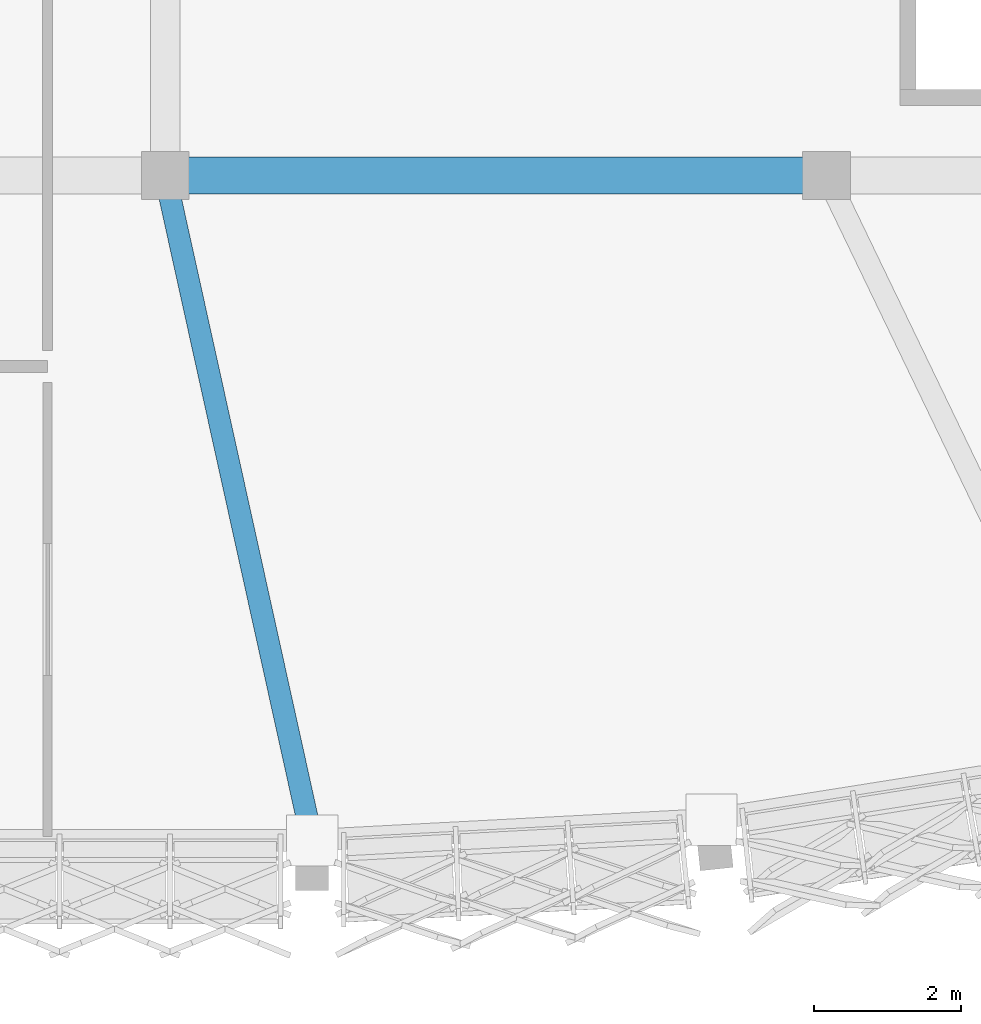
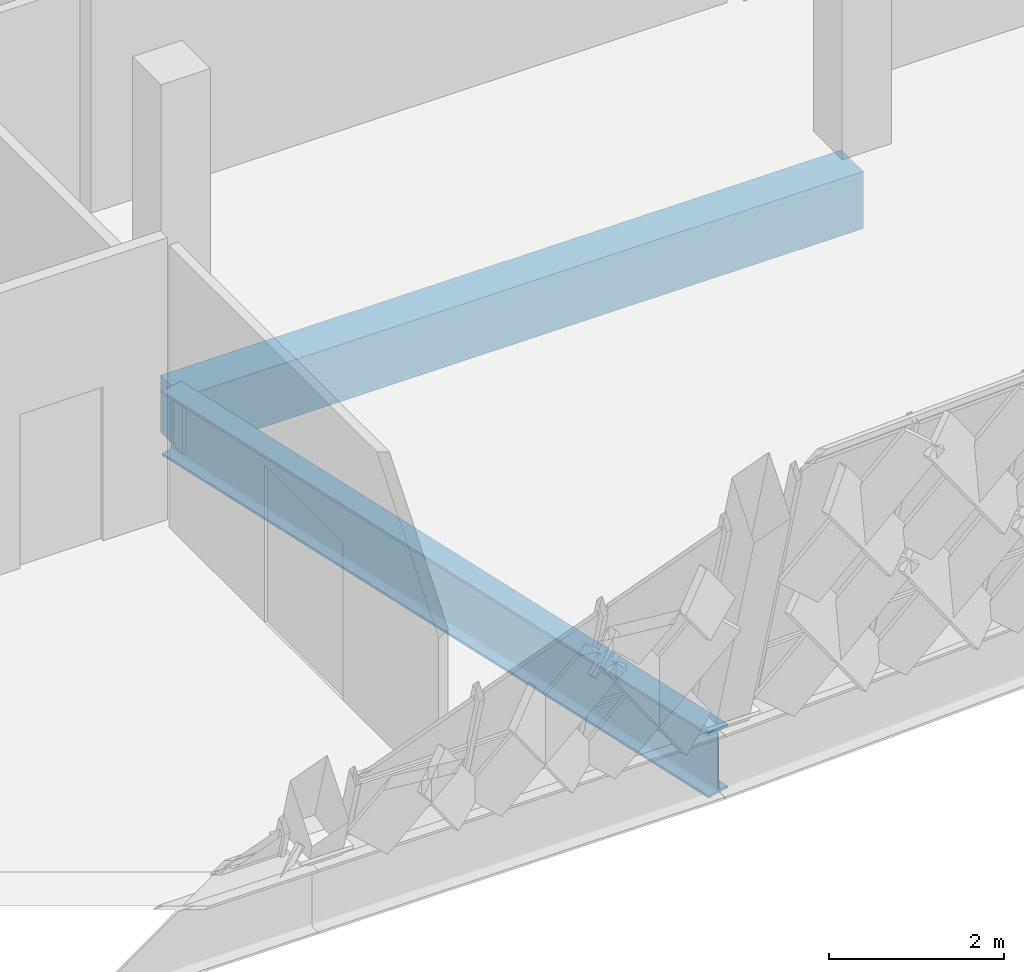
# One storey, part 53 of 182: 2 beams.
"""IFC4 building model written with IfcOpenShell, lengths in metres."""

import ifcopenshell
import ifcopenshell.guid

model = None  # the IFC model being written
_history = None  # IfcOwnerHistory: only IFC2X3 demands one
_inside = {}  # id of a spatial element -> (the spatial element, [elements in it])
_under = {}  # id of a project, library or spatial element -> (it, [spatial elements below it])
_declared = {}  # id of a project -> (the project, [libraries it declares])
_typed = {}  # id of a type object -> (the type object, [elements of that type])
_made_of = {}  # id of a material, layer set ... -> (it, [elements and type objects made of it])


def new_model(schema):
    """Start an empty IFC model of exactly this schema.

    Asked for "IFC4X3", IfcOpenShell would pick the latest addendum, in which some entities
    have other attributes; the version numbers below select the first issue.
    IFC2X3 requires an IfcOwnerHistory on every rooted entity: one is made here for all.
    """
    global model, _history
    if schema == "IFC4X3":
        model = ifcopenshell.file(schema_version=(4, 3, 0, 0))
    else:
        model = ifcopenshell.file(schema=schema)
    _inside.clear()
    _under.clear()
    _declared.clear()
    _typed.clear()
    _made_of.clear()
    _history = None
    if model.schema == "IFC2X3":
        org = make("IfcOrganization", Name="unknown")
        user = make(
            "IfcPersonAndOrganization",
            ThePerson=make("IfcPerson", FamilyName="unknown"),
            TheOrganization=org,
        )
        app = make(
            "IfcApplication",
            ApplicationDeveloper=org,
            Version="unknown",
            ApplicationFullName="unknown",
            ApplicationIdentifier="unknown",
        )
        _history = make(
            "IfcOwnerHistory",
            OwningUser=user,
            OwningApplication=app,
            ChangeAction="ADDED",
            CreationDate=0,
        )
    return model


def make(cls, **values):
    """One entity of the class cls with the attributes given. An attribute that is None is left unset."""
    return model.create_entity(
        cls, **{name: value for name, value in values.items() if value is not None}
    )


def rooted(cls, **values):
    """An entity with a GlobalId (a new one), such as an element, a storey or a relation."""
    return make(cls, GlobalId=ifcopenshell.guid.new(), OwnerHistory=_history, **values)


def si_unit(unit_type, name, prefix=None):
    """IfcSIUnit, for example si_unit("LENGTHUNIT", "METRE", prefix="MILLI")."""
    return make("IfcSIUnit", UnitType=unit_type, Prefix=prefix, Name=name)


def assignment(units):
    """IfcUnitAssignment: the units of a project."""
    return None if units is None else make("IfcUnitAssignment", Units=units)


def point(xyz):
    """IfcCartesianPoint."""
    return None if xyz is None else make("IfcCartesianPoint", Coordinates=xyz)


def direction(xyz):
    """IfcDirection."""
    return None if xyz is None else make("IfcDirection", DirectionRatios=xyz)


def frame(location, z_axis=None, x_axis=None):
    """IfcAxis2Placement3D, a coordinate frame: its origin and axes. An axis left out is left unset."""
    return make(
        "IfcAxis2Placement3D",
        Location=point(location),
        Axis=direction(z_axis),
        RefDirection=direction(x_axis),
    )


def frame_2d(location, x_axis=None):
    """IfcAxis2Placement2D, a coordinate frame in the plane: its origin and x axis."""
    return make(
        "IfcAxis2Placement2D", Location=point(location), RefDirection=direction(x_axis)
    )


def origin():
    """The frame at (0, 0, 0) with its axes left unset."""
    return frame((0.0, 0.0, 0.0))


def origin_2d():
    """The frame at (0, 0) in the plane with its x axis left unset."""
    return frame_2d((0.0, 0.0))


def place(relative_to, where):
    """IfcLocalPlacement: puts the frame where relative to a parent placement (None: the world)."""
    return make(
        "IfcLocalPlacement", PlacementRelTo=relative_to, RelativePlacement=where
    )


def context(
    kind, dimensions, precision=None, world=None, true_north=None, identifier=None
):
    """IfcGeometricRepresentationContext, for example the 3D "Model" context."""
    return make(
        "IfcGeometricRepresentationContext",
        ContextIdentifier=identifier,
        ContextType=kind,
        CoordinateSpaceDimension=dimensions,
        Precision=precision,
        WorldCoordinateSystem=world,
        TrueNorth=true_north,
    )


def subcontext(parent, identifier, kind, view, scale=None):
    """IfcGeometricRepresentationSubContext, for example "Body" below "Model"."""
    return make(
        "IfcGeometricRepresentationSubContext",
        ContextIdentifier=identifier,
        ContextType=kind,
        ParentContext=parent,
        TargetScale=scale,
        TargetView=view,
    )


def project(units=None, contexts=None):
    """IfcProject with its units and contexts."""
    return rooted(
        "IfcProject",
        Name="project",
        RepresentationContexts=contexts,
        UnitsInContext=assignment(units),
    )


def spatial(cls, under=None, at=None, **own):
    """A site, building, storey or space (cls), placed at a placement, below another one or the project."""
    s = rooted(cls, ObjectPlacement=at, **own)
    if under is not None:
        _under.setdefault(under.id(), (under, []))[1].append(s)
    return s


def profile(cls, at=None, kind="AREA", **sizes):
    """A parametric profile (cls). Its sizes go by their IFC names, for example OverallWidth=200.0."""
    return make(cls, ProfileType=kind, Position=at, **sizes)


def rectangle(**sizes):
    """IfcRectangleProfileDef."""
    return profile("IfcRectangleProfileDef", **sizes)


def i_section(**sizes):
    """IfcIShapeProfileDef."""
    return profile("IfcIShapeProfileDef", **sizes)


def extrude(swept, where, along, depth):
    """IfcExtrudedAreaSolid: the profile swept, set in the frame where, extruded along a direction by depth."""
    return make(
        "IfcExtrudedAreaSolid",
        SweptArea=swept,
        Position=where,
        ExtrudedDirection=direction(along),
        Depth=depth,
    )


def shape(context_of_items, identifier, shape_type, items):
    """IfcShapeRepresentation: the items that make up one representation, for example the "Body"."""
    return make(
        "IfcShapeRepresentation",
        ContextOfItems=context_of_items,
        RepresentationIdentifier=identifier,
        RepresentationType=shape_type,
        Items=items,
    )


def material(Name=None, Category=None):
    """IfcMaterial."""
    return make("IfcMaterial", Name=Name, Category=Category)


def material_profile(
    of_material, cross_section, Name=None, Category=None, Priority=None
):
    """IfcMaterialProfile: a cross section and its material."""
    return make(
        "IfcMaterialProfile",
        Name=Name,
        Material=of_material,
        Profile=cross_section,
        Priority=Priority,
        Category=Category,
    )


def profile_set(profiles, Name=None, composite=None):
    """IfcMaterialProfileSet."""
    return make(
        "IfcMaterialProfileSet",
        Name=Name,
        MaterialProfiles=profiles,
        CompositeProfile=composite,
    )


def made_of(thing, what):
    """Note that an element or type object is made of a material, layer set ...; save() writes the relation."""
    if what is not None:
        _made_of.setdefault(what.id(), (what, []))[1].append(thing)
    return thing


def type_object(cls, material=None, **own):
    """A type object (cls), such as IfcWallType, which elements share."""
    return made_of(rooted(cls, **own), material)


def element(
    cls,
    number,
    at=None,
    inside=None,
    cuts=None,
    type_object=None,
    material=None,
    context=None,
    identifier="Body",
    shape_type=None,
    held_by="IfcProductDefinitionShape",
    body=None,
    shapes=None,
    **own,
):
    """One element of the class cls, such as IfcWall. Its Tag is "e" and its number.

    at: its placement. inside: the storey or other place that contains it. cuts: it is an
    opening in that element (IfcRelVoidsElement). A single representation is given by context,
    identifier, shape_type and body (its items); several are given by shapes. held_by: the class
    of the entity that holds the representations. save() writes the other relations.
    """
    e = rooted(cls, Tag="e%d" % number, ObjectPlacement=at, **own)
    if body is not None:
        shapes = [shape(context, identifier, shape_type, body)]
    if shapes is not None:
        e.Representation = make(held_by, Representations=shapes)
    if inside is not None:
        _inside.setdefault(inside.id(), (inside, []))[1].append(e)
    if cuts is not None:
        rooted(
            "IfcRelVoidsElement", RelatingBuildingElement=cuts, RelatedOpeningElement=e
        )
    if type_object is not None:
        _typed.setdefault(type_object.id(), (type_object, []))[1].append(e)
    return made_of(e, material)


def aggregate(whole, parts):
    """IfcRelAggregates: a whole, such as a stair, and the parts it consists of."""
    return rooted("IfcRelAggregates", RelatingObject=whole, RelatedObjects=parts)


def save(model, path):
    """Write the relations noted so far, then the file.

    IfcRelAggregates (storeys below a building ...), IfcRelContainedInSpatialStructure (elements
    in a storey), IfcRelDefinesByType, IfcRelAssociatesMaterial and IfcRelDeclares: one each for
    every whole, place, type object, material and project.
    """
    for whole, parts in _under.values():
        aggregate(whole, parts)
    for where, things in _inside.values():
        rooted(
            "IfcRelContainedInSpatialStructure",
            RelatedElements=things,
            RelatingStructure=where,
        )
    for kind, things in _typed.values():
        rooted("IfcRelDefinesByType", RelatedObjects=things, RelatingType=kind)
    for what, things in _made_of.values():
        rooted("IfcRelAssociatesMaterial", RelatedObjects=things, RelatingMaterial=what)
    for by, libraries in _declared.values():
        rooted("IfcRelDeclares", RelatingContext=by, RelatedDefinitions=libraries)
    model.write(path)


model = new_model("IFC4")

# Units and contexts
model_context = context("Model", 3, precision=1e-05, world=origin(), true_north=direction((0.0, 1.0)))
body_context = subcontext(model_context, "Body", "Model", "MODEL_VIEW")
ifc_project = project(units=[si_unit("LENGTHUNIT", "METRE"), si_unit("AREAUNIT", "SQUARE_METRE"), si_unit("VOLUMEUNIT", "CUBIC_METRE"), si_unit("PLANEANGLEUNIT", "RADIAN"), si_unit("MASSUNIT", "GRAM", prefix="KILO")], contexts=[model_context])

# Site, building, storey
site_placement = place(None, origin())
site = spatial("IfcSite", under=ifc_project, at=site_placement, CompositionType="ELEMENT")
building_placement = place(site_placement, origin())
building = spatial("IfcBuilding", under=site, at=building_placement, Name="Chiffa Square Polytechnic", CompositionType="ELEMENT")
storey_placement = place(building_placement, frame((0.0, 0.0, 9.60009765625)))
storey = spatial("IfcBuildingStorey", under=building, at=storey_placement, Name="L02", CompositionType="ELEMENT", Elevation=9.60009765625)

# Beams
ifc_material_1 = material(Name="Concrete C40/50", Category="concrete")
ifc_material_profile_1 = material_profile(ifc_material_1, rectangle(XDim=0.5, YDim=0.800048828125, at=origin_2d()), Name="RC 500x800")
ifc_profile_set_1 = profile_set([ifc_material_profile_1], Name="Concrete C40/50")
beam_type_1 = type_object("IfcBeamType", Name="BM-RC-500X800", PredefinedType="BEAM", material=ifc_profile_set_1)
beam_1_placement = place(storey_placement, frame((121.199951171875, 14.39990234375, -0.72021484375), z_axis=(1.0, 0.0, 0.0), x_axis=(0.0, 1.0, 0.0)))
element("IfcBeam", 1, at=beam_1_placement, inside=storey, type_object=beam_type_1, Name="Primary floor girder BM-V1-L02-X-1212-0144", PredefinedType="BEAM", context=body_context, shape_type="SweptSolid", body=[
    extrude(rectangle(XDim=0.5, YDim=0.800048828125, at=origin_2d()), origin(), (0.0, 0.0, 1.0), 9.0),
])
ifc_material_2 = material(Name="Steel S355", Category="steel")
ifc_material_profile_2 = material_profile(ifc_material_2, i_section(OverallWidth=0.300048828125, OverallDepth=0.89990234375, WebThickness=0.0185546875, FlangeThickness=0.031982421875, FilletRadius=0.030029296875, at=origin_2d()), Name="HEB 900")
ifc_profile_set_2 = profile_set([ifc_material_profile_2], Name="Steel S355")
beam_type_2 = type_object("IfcBeamType", Name="TG-STL-HEB900", PredefinedType="USERDEFINED", material=ifc_profile_set_2)
beam_2_placement = place(storey_placement, frame((123.199951171875, 5.35009765625, -0.77001953125), z_axis=(-0.215792342989, 0.976439278556, 0.0), x_axis=(-0.976439278556, -0.215792342989, 0.0)))
element("IfcBeam", 2, at=beam_2_placement, inside=storey, type_object=beam_type_2, Name="Prow radial transfer girder TG-V1-RAD-L02-03", ObjectType="TRANSFER GIRDER", PredefinedType="USERDEFINED", context=body_context, shape_type="SweptSolid", body=[
    extrude(i_section(OverallWidth=0.300048828125, OverallDepth=0.89990234375, WebThickness=0.0185546875, FlangeThickness=0.031982421875, FilletRadius=0.030029296875, at=origin_2d()), origin(), (0.0, 0.0, 1.0), 9.26806640625),
])

save(model, "model.ifc")
